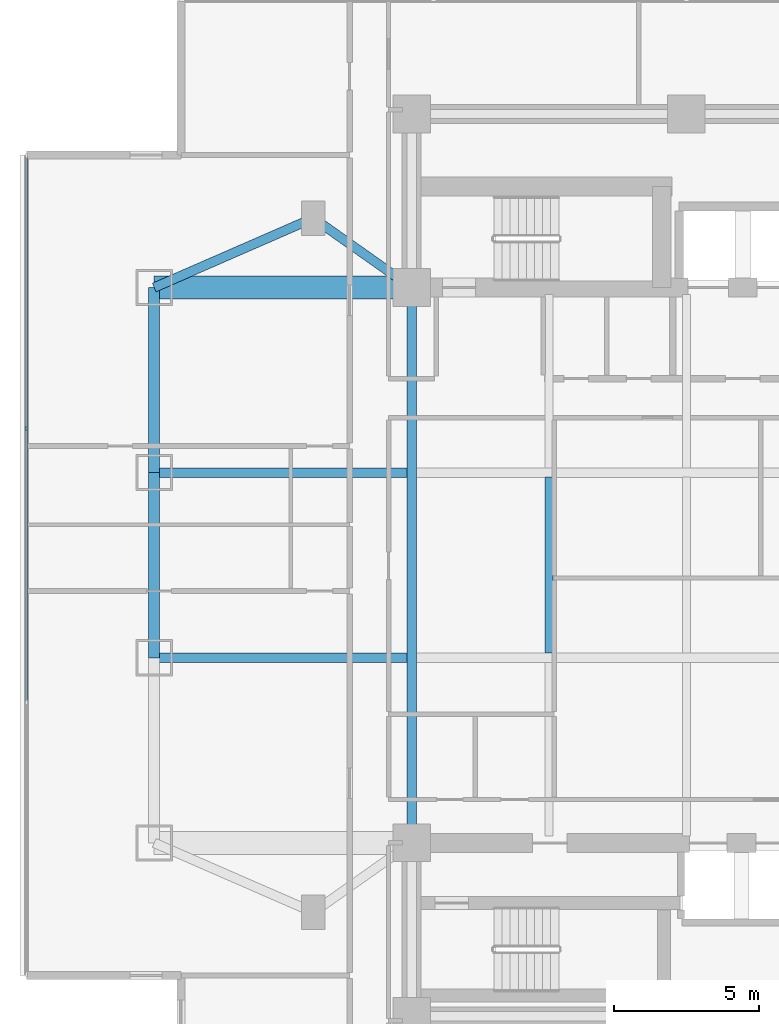
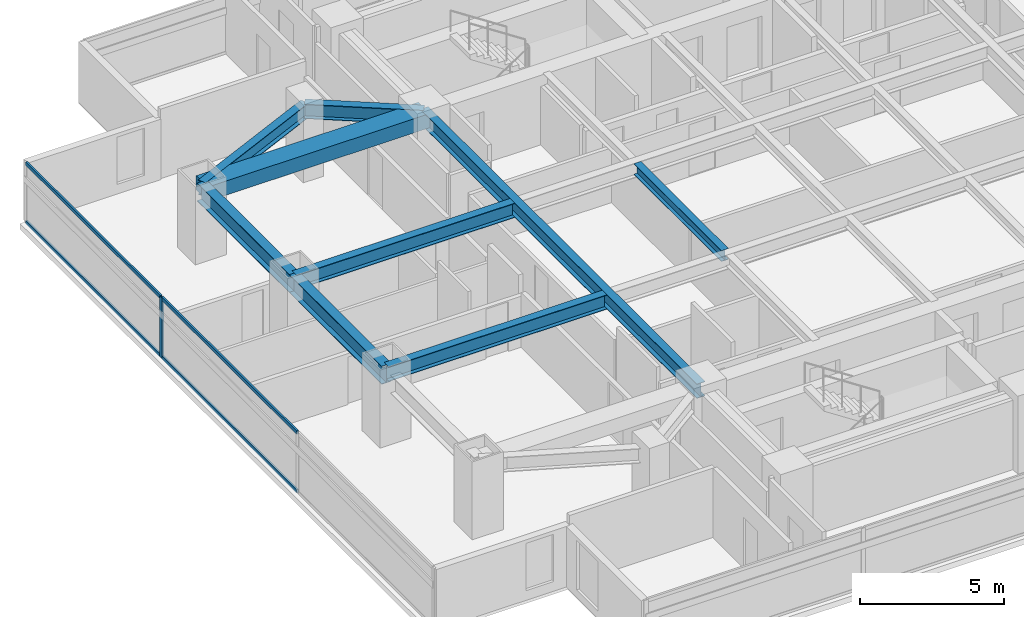
# One storey, part 3 of 26: 9 beams, 5 members, 1 element without a shape of its own.
"""IFC4 building model written with IfcOpenShell, lengths in metres."""

from ifc_helpers import new_model, si_unit, direction, frame, origin, origin_2d, place, context, subcontext, project, spatial, rectangle, i_section, extrude, material, material_profile, profile_set, type_object, element, aggregate, save


model = new_model("IFC4")

# Units and contexts
model_context = context("Model", 3, precision=1e-05, world=origin(), true_north=direction((0.0, 1.0)))
body_context = subcontext(model_context, "Body", "Model", "MODEL_VIEW")
ifc_project = project(units=[si_unit("LENGTHUNIT", "METRE"), si_unit("AREAUNIT", "SQUARE_METRE"), si_unit("VOLUMEUNIT", "CUBIC_METRE"), si_unit("PLANEANGLEUNIT", "RADIAN"), si_unit("MASSUNIT", "GRAM", prefix="KILO")], contexts=[model_context])

# Site, building, storey
site_placement = place(None, origin())
site = spatial("IfcSite", under=ifc_project, at=site_placement, CompositionType="ELEMENT")
building_placement = place(site_placement, origin())
building = spatial("IfcBuilding", under=site, at=building_placement, Name="Mirazonda Arch Towers", CompositionType="ELEMENT")
storey_placement = place(building_placement, frame((0.0, 0.0, 78.5)))
storey = spatial("IfcBuildingStorey", under=building, at=storey_placement, Name="L22", CompositionType="ELEMENT", Elevation=78.5)

# Beams
ifc_material_1 = material(Name="Steel ASTM A992 Grade 50", Category="steel")
ifc_material_profile_1 = material_profile(ifc_material_1, i_section(OverallWidth=0.381103515625, OverallDepth=0.77294921875, WebThickness=0.0166015625, FlangeThickness=0.027099609375, at=origin_2d()), Name="W30X173")
ifc_profile_set_1 = profile_set([ifc_material_profile_1], Name="Steel ASTM A992 Grade 50")
beam_type_1 = type_object("IfcBeamType", Name="BM-EXT-W30X173", PredefinedType="USERDEFINED", material=ifc_profile_set_1)
beam_1_placement = place(storey_placement, frame((2.10009765625, 24.800048828125, 2.553466796875), z_axis=(0.0, 1.0, 0.0), x_axis=(-1.0, 0.0, 0.0)))
element("IfcBeam", 1, at=beam_1_placement, inside=storey, type_object=beam_type_1, Name="L22 Floor Beam BMT-T1-L22-NS-W-24", ObjectType="GIRDER", PredefinedType="USERDEFINED", context=body_context, shape_type="SweptSolid", body=[
    extrude(i_section(OverallWidth=0.381103515625, OverallDepth=0.77294921875, WebThickness=0.0166015625, FlangeThickness=0.027099609375, at=origin_2d()), origin(), (0.0, 0.0, 1.0), 6.39990234375),
])
beam_2_placement = place(storey_placement, frame((2.10009765625, 31.199951171875, 2.553466796875), z_axis=(0.0, 1.0, 0.0), x_axis=(-1.0, 0.0, 0.0)))
element("IfcBeam", 2, at=beam_2_placement, inside=storey, type_object=beam_type_1, Name="L22 Floor Beam BMT-T1-L22-NS-W-31", ObjectType="GIRDER", PredefinedType="USERDEFINED", context=body_context, shape_type="SweptSolid", body=[
    extrude(i_section(OverallWidth=0.381103515625, OverallDepth=0.77294921875, WebThickness=0.0166015625, FlangeThickness=0.027099609375, at=origin_2d()), origin(), (0.0, 0.0, 1.0), 6.400146484375),
])
ifc_material_profile_2 = material_profile(ifc_material_1, i_section(OverallWidth=0.280029296875, OverallDepth=0.462890625, WebThickness=0.0107421875, FlangeThickness=0.017333984375, at=origin_2d()), Name="W18X76")
ifc_profile_set_2 = profile_set([ifc_material_profile_2], Name="Steel ASTM A992 Grade 50")
beam_type_2 = type_object("IfcBeamType", Name="BM-INT-W18X76", PredefinedType="JOIST", material=ifc_profile_set_2)
beam_3_placement = place(storey_placement, frame((15.75, 24.95849609375, 2.70849609375), z_axis=(0.0, 1.0, 0.0), x_axis=(-1.0, 0.0, 0.0)))
element("IfcBeam", 3, at=beam_3_placement, inside=storey, type_object=beam_type_2, Name="L22 Floor Beam BMT-T1-L22-J-157-24", PredefinedType="JOIST", context=body_context, shape_type="SweptSolid", body=[
    extrude(i_section(OverallWidth=0.280029296875, OverallDepth=0.462890625, WebThickness=0.0107421875, FlangeThickness=0.017333984375, at=origin_2d()), origin(), (0.0, 0.0, 1.0), 6.0830078125),
])
ifc_material_profile_3 = material_profile(ifc_material_1, i_section(OverallWidth=0.324951171875, OverallDepth=0.615966796875, WebThickness=0.013916015625, FlangeThickness=0.021484375, at=origin_2d()), Name="W24X117")
ifc_profile_set_3 = profile_set([ifc_material_profile_3], Name="Steel ASTM A992 Grade 50")
beam_type_3 = type_object("IfcBeamType", Name="BM-INT-W24X117", PredefinedType="BEAM", material=ifc_profile_set_3)
for number, where, z_axis, x_axis, name in (
    (4, (2.10009765625, 24.800048828125, 2.632080078125), (1.0, 0.0, 0.0), (0.0, 1.0, 0.0), "L22 Floor Beam BMT-T1-L22-GW2"),
    (5, (2.10009765625, 31.199951171875, 2.632080078125), (1.0, 0.0, 0.0), (0.0, 1.0, 0.0), "L22 Floor Beam BMT-T1-L22-GW3"),
):
    element("IfcBeam", number, at=place(storey_placement, frame(where, z_axis=z_axis, x_axis=x_axis)), inside=storey, type_object=beam_type_3, Name=name, PredefinedType="BEAM", context=body_context, shape_type="SweptSolid", body=[
        extrude(i_section(OverallWidth=0.324951171875, OverallDepth=0.615966796875, WebThickness=0.013916015625, FlangeThickness=0.021484375, at=origin_2d()), origin(), (0.0, 0.0, 1.0), 8.7373046875),
    ])
beam_4_placement = place(storey_placement, frame((11.0, 18.39990234375, 2.632080078125), z_axis=(0.0, 1.0, 0.0), x_axis=(-1.0, 0.0, 0.0)))
element("IfcBeam", 6, at=beam_4_placement, inside=storey, type_object=beam_type_3, Name="L22 Floor Beam BMT-T1-L22-NS-CW-FULL", PredefinedType="BEAM", context=body_context, shape_type="SweptSolid", body=[
    extrude(i_section(OverallWidth=0.324951171875, OverallDepth=0.615966796875, WebThickness=0.013916015625, FlangeThickness=0.021484375, at=origin_2d()), origin(), (0.0, 0.0, 1.0), 19.2001953125),
])
beam_5_placement = place(storey_placement, frame((7.60009765625, 40.0, 2.632080078125), z_axis=(0.816971114901, -0.576678591087, 0.0), x_axis=(0.576678591087, 0.816971114901, 0.0)))
element("IfcBeam", 7, at=beam_5_placement, inside=storey, type_object=beam_type_3, Name="L22 Floor Beam BMT-T1-L22-PL-NW1", PredefinedType="BEAM", context=body_context, shape_type="SweptSolid", body=[
    extrude(i_section(OverallWidth=0.324951171875, OverallDepth=0.615966796875, WebThickness=0.013916015625, FlangeThickness=0.021484375, at=origin_2d()), origin(), (0.0, 0.0, 1.0), 4.16162109375),
])
beam_6_placement = place(storey_placement, frame((7.60009765625, 40.0, 2.632080078125), z_axis=(-0.916545343703, -0.399930785183, 0.0), x_axis=(0.399930785183, -0.916545343703, 0.0)))
element("IfcBeam", 8, at=beam_6_placement, inside=storey, type_object=beam_type_3, Name="L22 Floor Beam BMT-T1-L22-PL-NW2", PredefinedType="BEAM", context=body_context, shape_type="SweptSolid", body=[
    extrude(i_section(OverallWidth=0.324951171875, OverallDepth=0.615966796875, WebThickness=0.013916015625, FlangeThickness=0.021484375, at=origin_2d()), origin(), (0.0, 0.0, 1.0), 6.000732421875),
])
ifc_material_2 = material(Name="Concrete C60/75", Category="concrete")
ifc_material_profile_4 = material_profile(ifc_material_2, rectangle(XDim=0.800048828125, YDim=0.60009765625, at=origin_2d()), Name="RCCB800x600")
ifc_profile_set_4 = profile_set([ifc_material_profile_4], Name="Concrete C60/75")
beam_type_4 = type_object("IfcBeamType", Name="CB-INT-RCCB800x600", PredefinedType="SPANDREL", material=ifc_profile_set_4)
beam_7_placement = place(storey_placement, frame((2.10009765625, 37.60009765625, 2.639892578125), z_axis=(1.0, 0.0, 0.0), x_axis=(0.0, 1.0, 0.0)))
element("IfcBeam", 9, at=beam_7_placement, inside=storey, type_object=beam_type_4, Name="L22 Floor Beam CBC-T1-L22-NW", PredefinedType="SPANDREL", context=body_context, shape_type="SweptSolid", body=[
    extrude(rectangle(XDim=0.800048828125, YDim=0.60009765625, at=origin_2d()), origin(), (0.0, 0.0, 1.0), 8.89990234375),
])

# Curtain wall, members
ifc_material_3 = material(Name="Anodised Aluminium and Low-E Glass", Category="aluminium")
curtain_wall_type = type_object("IfcCurtainWallType", Name="CW-HTL-UNIT", PredefinedType="NOTDEFINED", material=ifc_material_3)
curtain_wall_placement = place(storey_placement, origin())
curtain_wall = element("IfcCurtainWall", 10, at=curtain_wall_placement, inside=storey, type_object=curtain_wall_type, Name="L22 T1 W Facade CW-L22-T1-W", PredefinedType="NOTDEFINED")
ifc_material_4 = material(Name="Anodised Aluminium Alloy", Category="aluminium")
ifc_material_profile_5 = material_profile(ifc_material_4, rectangle(XDim=0.074951171875, YDim=0.1650390625, at=origin_2d()), Name="ALU-MULL-75x165")
ifc_profile_set_5 = profile_set([ifc_material_profile_5], Name="Anodised Aluminium Alloy")
member_type_1 = type_object("IfcMemberType", Name="MULL-CW-HTL-UNIT", PredefinedType="MULLION", material=ifc_profile_set_5)
member_1_placement = place(storey_placement, frame((-2.320068359375, 32.72802734375, 0.0), z_axis=(0.0, 0.0, 1.0), x_axis=(1.0, 0.0, 0.0)))
member_1 = element("IfcMember", 11, at=member_1_placement, type_object=member_type_1, Name="CW-112 mullion 2", PredefinedType="MULLION", context=body_context, shape_type="SweptSolid", body=[
    extrude(rectangle(XDim=0.074951171875, YDim=0.1650390625, at=origin_2d()), origin(), (0.0, 0.0, 1.0), 2.56005859375),
])
ifc_material_profile_6 = material_profile(ifc_material_4, rectangle(XDim=0.074951171875, YDim=0.14501953125, at=origin_2d()), Name="ALU-TRAN-75x145")
ifc_profile_set_6 = profile_set([ifc_material_profile_6], Name="Anodised Aluminium Alloy")
member_type_2 = type_object("IfcMemberType", Name="TRAN-CW-HTL-UNIT", PredefinedType="USERDEFINED", material=ifc_profile_set_6)
member_2_placement = place(storey_placement, frame((-2.320068359375, 42.10888671875, 0.03759765625), z_axis=(0.0, -1.0, 0.0), x_axis=(1.0, 0.0, 0.0)))
member_2 = element("IfcMember", 12, at=member_2_placement, type_object=member_type_2, Name="CW-112 transom 1.1", ObjectType="TRANSOM", PredefinedType="USERDEFINED", context=body_context, shape_type="SweptSolid", body=[
    extrude(rectangle(XDim=0.074951171875, YDim=0.14501953125, at=origin_2d()), origin(), (0.0, 0.0, 1.0), 9.343505859375),
])
member_3_placement = place(storey_placement, frame((-2.320068359375, 42.10888671875, 2.5224609375), z_axis=(0.0, -1.0, 0.0), x_axis=(1.0, 0.0, 0.0)))
member_3 = element("IfcMember", 13, at=member_3_placement, type_object=member_type_2, Name="CW-112 transom 1.2", ObjectType="TRANSOM", PredefinedType="USERDEFINED", context=body_context, shape_type="SweptSolid", body=[
    extrude(rectangle(XDim=0.074951171875, YDim=0.14501953125, at=origin_2d()), origin(), (0.0, 0.0, 1.0), 9.343505859375),
])
member_4_placement = place(storey_placement, frame((-2.320068359375, 32.6904296875, 0.03759765625), z_axis=(0.0, -1.0, 0.0), x_axis=(1.0, 0.0, 0.0)))
member_4 = element("IfcMember", 14, at=member_4_placement, type_object=member_type_2, Name="CW-112 transom 2.1", ObjectType="TRANSOM", PredefinedType="USERDEFINED", context=body_context, shape_type="SweptSolid", body=[
    extrude(rectangle(XDim=0.074951171875, YDim=0.14501953125, at=origin_2d()), origin(), (0.0, 0.0, 1.0), 9.380859375),
])
member_5_placement = place(storey_placement, frame((-2.320068359375, 32.6904296875, 2.5224609375), z_axis=(0.0, -1.0, 0.0), x_axis=(1.0, 0.0, 0.0)))
member_5 = element("IfcMember", 15, at=member_5_placement, type_object=member_type_2, Name="CW-112 transom 2.2", ObjectType="TRANSOM", PredefinedType="USERDEFINED", context=body_context, shape_type="SweptSolid", body=[
    extrude(rectangle(XDim=0.074951171875, YDim=0.14501953125, at=origin_2d()), origin(), (0.0, 0.0, 1.0), 9.380859375),
])
aggregate(curtain_wall, [member_1, member_2, member_3, member_4, member_5])

save(model, "model.ifc")
